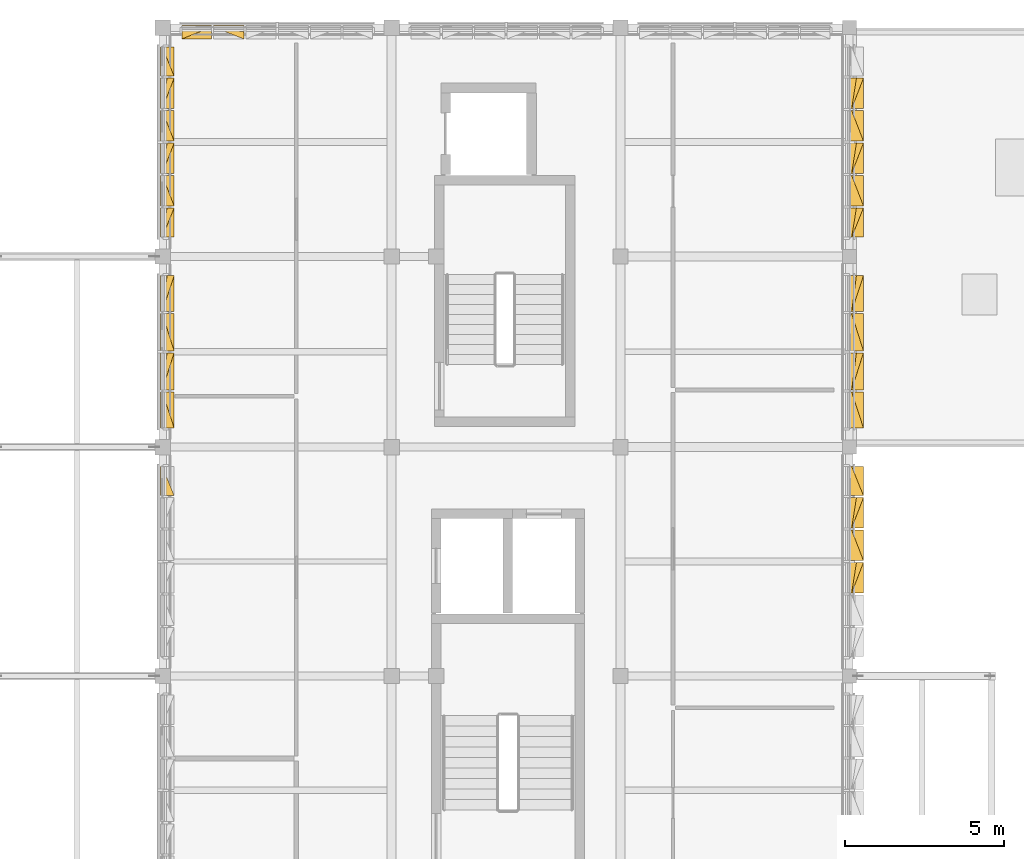
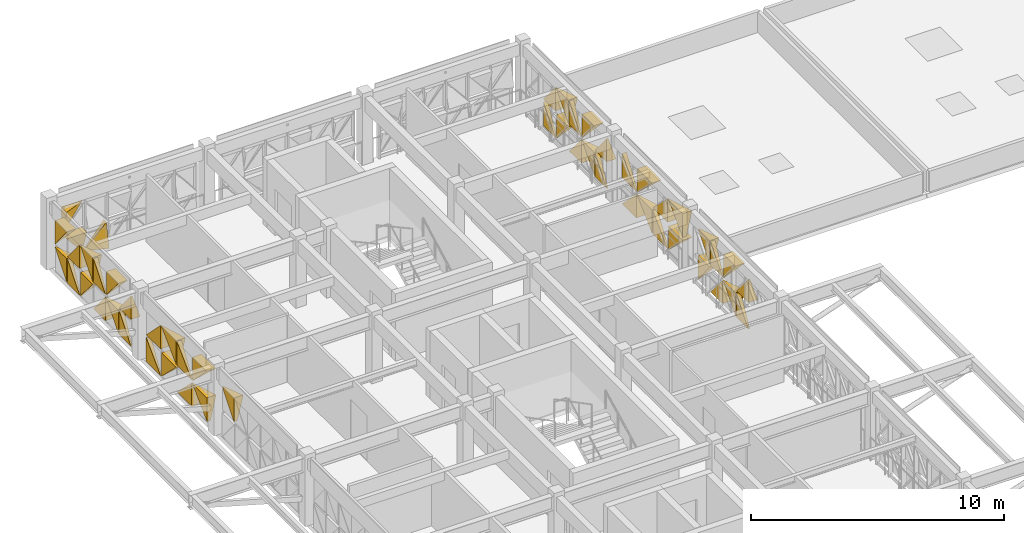
# One storey, part 29 of 30: 50 coverings.
"""IFC4 building model written with IfcOpenShell, lengths in metres."""

from ifc_helpers import new_model, si_unit, direction, frame, origin, place, context, subcontext, project, spatial, polygons, material, layer, layer_set, type_object, element, save


model = new_model("IFC4")

# Units and contexts
model_context = context("Model", 3, precision=1e-05, world=origin(), true_north=direction((0.0, 1.0)))
body_context = subcontext(model_context, "Body", "Model", "MODEL_VIEW")
ifc_project = project(units=[si_unit("LENGTHUNIT", "METRE"), si_unit("AREAUNIT", "SQUARE_METRE"), si_unit("VOLUMEUNIT", "CUBIC_METRE"), si_unit("PLANEANGLEUNIT", "RADIAN"), si_unit("MASSUNIT", "GRAM", prefix="KILO")], contexts=[model_context])

# Site, building, storey
site_placement = place(None, origin())
site = spatial("IfcSite", under=ifc_project, at=site_placement, CompositionType="ELEMENT")
building_placement = place(site_placement, origin())
building = spatial("IfcBuilding", under=site, at=building_placement, Name="Alvorim Cloister Faculty of Sciences", CompositionType="ELEMENT")
storey_placement = place(building_placement, frame((0.0, 0.0, 26.25)))
storey = spatial("IfcBuildingStorey", under=building, at=storey_placement, Name="L07", CompositionType="ELEMENT", Elevation=26.25)

# Coverings
ifc_material = material(Name="Perforated Bronze Alloy Sheet", Category="metal")
ifc_layer = layer(ifc_material, 0.0380859375)
ifc_layer_set = layer_set([ifc_layer], Name="Perforated Bronze Alloy Sheet")
covering_type = type_object("IfcCoveringType", Name="COV-TRI-BRZ", PredefinedType="CLADDING", material=ifc_layer_set)
covering_1_placement = place(storey_placement, frame((7.155029296875, 41.672607421875, 1.419921875), z_axis=(0.0, 0.0, 1.0), x_axis=(0.0, 1.0, 0.0)))
element("IfcCovering", 1, at=covering_1_placement, inside=storey, type_object=covering_type, Name="Diagonal Solid Metal Triangle TRI-TL", PredefinedType="CLADDING", context=body_context, shape_type="Tessellation", body=[
    polygons([(0.920607421875, 0.0260009765625, 1.14013671875), (0.0, 0.0260009765625, 1.14013671875), (0.0, 0.0260009765625, 0.002), (0.920607421875, -0.03, 1.14013671875), (0.0, -0.4, 1.14013671875), (0.0, -0.13999999999999999, 0.002)], [[[1, 3, 2]], [[4, 5, 6]], [[1, 2, 5, 4]], [[2, 3, 6, 5]], [[3, 1, 4, 6]]], closed=True),
])
covering_2_placement = place(storey_placement, frame((7.155029296875, 43.804931640625, 0.139892578125), z_axis=(0.0, 0.0, 1.0), x_axis=(0.0, 1.0, 0.0)))
element("IfcCovering", 2, at=covering_2_placement, inside=storey, type_object=covering_type, Name="Diagonal Solid Metal Triangle TRI-TL", PredefinedType="CLADDING", context=body_context, shape_type="Tessellation", body=[
    polygons([(1.130568359375, 0.0260009765625, 1.14013671875), (0.0, 0.0260009765625, 1.14013671875), (0.0, 0.0260009765625, 0.002), (1.130568359375, -0.03, 1.14013671875), (0.0, -0.4, 1.14013671875), (0.0, -0.13999999999999999, 0.002)], [[[1, 3, 2]], [[4, 5, 6]], [[1, 2, 5, 4]], [[2, 3, 6, 5]], [[3, 1, 4, 6]]], closed=True),
])
covering_3_placement = place(storey_placement, frame((7.155029296875, 43.804931640625, 1.419921875), z_axis=(0.0, 0.0, 1.0), x_axis=(0.0, 1.0, 0.0)))
element("IfcCovering", 3, at=covering_3_placement, inside=storey, type_object=covering_type, Name="Diagonal Solid Metal Triangle TRI-TR", PredefinedType="CLADDING", context=body_context, shape_type="Tessellation", body=[
    polygons([(1.132568359375, 0.0260009765625, 0.002), (1.132568359375, 0.0260009765625, 1.14013671875), (0.002, 0.0260009765625, 1.14013671875), (1.132568359375, -0.03, 0.002), (1.132568359375, -0.4, 1.14013671875), (0.002, -0.4, 1.14013671875)], [[[1, 3, 2]], [[4, 5, 6]], [[1, 2, 5, 4]], [[2, 3, 6, 5]], [[3, 1, 4, 6]]], closed=True),
])
covering_4_placement = place(storey_placement, frame((7.155029296875, 45.00244140625, 0.139892578125), z_axis=(0.0, 0.0, 1.0), x_axis=(0.0, 1.0, 0.0)))
element("IfcCovering", 4, at=covering_4_placement, inside=storey, type_object=covering_type, Name="Diagonal Solid Metal Triangle TRI-BL", PredefinedType="CLADDING", context=body_context, shape_type="Tessellation", body=[
    polygons([(0.0, 0.0260009765625, 0.0), (1.1630390625, 0.0260009765625, 0.0), (0.0, 0.0260009765625, 1.13813671875), (0.0, -0.4, 0.0), (1.1630390625, -0.4, 0.0), (0.0, -0.03, 1.13813671875)], [[[1, 3, 2]], [[4, 5, 6]], [[1, 2, 5, 4]], [[2, 3, 6, 5]], [[3, 1, 4, 6]]], closed=True),
])
covering_5_placement = place(storey_placement, frame((7.155029296875, 45.00244140625, 1.419921875), z_axis=(0.0, 0.0, 1.0), x_axis=(0.0, 1.0, 0.0)))
element("IfcCovering", 5, at=covering_5_placement, inside=storey, type_object=covering_type, Name="Diagonal Solid Metal Triangle TRI-BR", PredefinedType="CLADDING", context=body_context, shape_type="Tessellation", body=[
    polygons([(0.002, 0.0260009765625, 0.0), (1.1650390625, 0.0260009765625, 0.0), (1.1650390625, 0.0260009765625, 1.13813671875), (0.002, -0.03, 0.0), (1.1650390625, -0.4, 0.0), (1.1650390625, -0.18000000000000002, 1.13813671875)], [[[1, 3, 2]], [[4, 5, 6]], [[1, 2, 5, 4]], [[2, 3, 6, 5]], [[3, 1, 4, 6]]], closed=True),
])
covering_6_placement = place(storey_placement, frame((7.155029296875, 46.232421875, 0.139892578125), z_axis=(0.0, 0.0, 1.0), x_axis=(0.0, 1.0, 0.0)))
element("IfcCovering", 6, at=covering_6_placement, inside=storey, type_object=covering_type, Name="Diagonal Solid Metal Triangle TRI-TR", PredefinedType="CLADDING", context=body_context, shape_type="Tessellation", body=[
    polygons([(1.1650390625, 0.0260009765625, 0.002), (1.1650390625, 0.0260009765625, 1.14013671875), (0.002, 0.0260009765625, 1.14013671875), (1.1650390625, -0.03, 0.002), (1.1650390625, -0.4, 1.14013671875), (0.002, -0.4, 1.14013671875)], [[[1, 3, 2]], [[4, 5, 6]], [[1, 2, 5, 4]], [[2, 3, 6, 5]], [[3, 1, 4, 6]]], closed=True),
])
covering_7_placement = place(storey_placement, frame((7.155029296875, 46.232421875, 1.419921875), z_axis=(0.0, 0.0, 1.0), x_axis=(0.0, 1.0, 0.0)))
element("IfcCovering", 7, at=covering_7_placement, inside=storey, type_object=covering_type, Name="Diagonal Solid Metal Triangle TRI-TL", PredefinedType="CLADDING", context=body_context, shape_type="Tessellation", body=[
    polygons([(1.1630390625, 0.0260009765625, 1.14013671875), (0.0, 0.0260009765625, 1.14013671875), (0.0, 0.0260009765625, 0.002), (1.1630390625, -0.03, 1.14013671875), (0.0, -0.4, 1.14013671875), (0.0, -0.13999999999999999, 0.002)], [[[1, 3, 2]], [[4, 5, 6]], [[1, 2, 5, 4]], [[2, 3, 6, 5]], [[3, 1, 4, 6]]], closed=True),
])
covering_8_placement = place(storey_placement, frame((7.155029296875, 47.46240234375, 0.139892578125), z_axis=(0.0, 0.0, 1.0), x_axis=(0.0, 1.0, 0.0)))
element("IfcCovering", 8, at=covering_8_placement, inside=storey, type_object=covering_type, Name="Diagonal Solid Metal Triangle TRI-BR", PredefinedType="CLADDING", context=body_context, shape_type="Tessellation", body=[
    polygons([(0.002, 0.0260009765625, 0.0), (1.132568359375, 0.0260009765625, 0.0), (1.132568359375, 0.0260009765625, 1.13813671875), (0.002, -0.03, 0.0), (1.132568359375, -0.4, 0.0), (1.132568359375, -0.18000000000000002, 1.13813671875)], [[[1, 3, 2]], [[4, 5, 6]], [[1, 2, 5, 4]], [[2, 3, 6, 5]], [[3, 1, 4, 6]]], closed=True),
])
covering_9_placement = place(storey_placement, frame((7.155029296875, 47.46240234375, 1.419921875), z_axis=(0.0, 0.0, 1.0), x_axis=(0.0, 1.0, 0.0)))
element("IfcCovering", 9, at=covering_9_placement, inside=storey, type_object=covering_type, Name="Diagonal Solid Metal Triangle TRI-BL", PredefinedType="CLADDING", context=body_context, shape_type="Tessellation", body=[
    polygons([(0.0, 0.0260009765625, 0.0), (1.130568359375, 0.0260009765625, 0.0), (0.0, 0.0260009765625, 1.13813671875), (0.0, -0.4, 0.0), (1.130568359375, -0.4, 0.0), (0.0, -0.03, 1.13813671875)], [[[1, 3, 2]], [[4, 5, 6]], [[1, 2, 5, 4]], [[2, 3, 6, 5]], [[3, 1, 4, 6]]], closed=True),
])
covering_10_placement = place(storey_placement, frame((7.155029296875, 49.804931640625, 0.139892578125), z_axis=(0.0, 0.0, 1.0), x_axis=(0.0, 1.0, 0.0)))
element("IfcCovering", 10, at=covering_10_placement, inside=storey, type_object=covering_type, Name="Diagonal Solid Metal Triangle TRI-BR", PredefinedType="CLADDING", context=body_context, shape_type="Tessellation", body=[
    polygons([(0.002, 0.0260009765625, 0.0), (0.922607421875, 0.0260009765625, 0.0), (0.922607421875, 0.0260009765625, 1.13813671875), (0.002, -0.03, 0.0), (0.922607421875, -0.4, 0.0), (0.922607421875, -0.18000000000000002, 1.13813671875)], [[[1, 3, 2]], [[4, 5, 6]], [[1, 2, 5, 4]], [[2, 3, 6, 5]], [[3, 1, 4, 6]]], closed=True),
])
covering_11_placement = place(storey_placement, frame((7.155029296875, 49.804931640625, 1.419921875), z_axis=(0.0, 0.0, 1.0), x_axis=(0.0, 1.0, 0.0)))
element("IfcCovering", 11, at=covering_11_placement, inside=storey, type_object=covering_type, Name="Diagonal Solid Metal Triangle TRI-BL", PredefinedType="CLADDING", context=body_context, shape_type="Tessellation", body=[
    polygons([(0.0, 0.0260009765625, 0.0), (0.920607421875, 0.0260009765625, 0.0), (0.0, 0.0260009765625, 1.13813671875), (0.0, -0.4, 0.0), (0.920607421875, -0.4, 0.0), (0.0, -0.03, 1.13813671875)], [[[1, 3, 2]], [[4, 5, 6]], [[1, 2, 5, 4]], [[2, 3, 6, 5]], [[3, 1, 4, 6]]], closed=True),
])
covering_12_placement = place(storey_placement, frame((7.155029296875, 50.79248046875, 0.139892578125), z_axis=(0.0, 0.0, 1.0), x_axis=(0.0, 1.0, 0.0)))
element("IfcCovering", 12, at=covering_12_placement, inside=storey, type_object=covering_type, Name="Diagonal Solid Metal Triangle TRI-TL", PredefinedType="CLADDING", context=body_context, shape_type="Tessellation", body=[
    polygons([(0.953078125, 0.0260009765625, 1.14013671875), (0.0, 0.0260009765625, 1.14013671875), (0.0, 0.0260009765625, 0.002), (0.953078125, -0.03, 1.14013671875), (0.0, -0.4, 1.14013671875), (0.0, -0.13999999999999999, 0.002)], [[[1, 3, 2]], [[4, 5, 6]], [[1, 2, 5, 4]], [[2, 3, 6, 5]], [[3, 1, 4, 6]]], closed=True),
])
covering_13_placement = place(storey_placement, frame((7.155029296875, 50.79248046875, 1.419921875), z_axis=(0.0, 0.0, 1.0), x_axis=(0.0, 1.0, 0.0)))
element("IfcCovering", 13, at=covering_13_placement, inside=storey, type_object=covering_type, Name="Diagonal Solid Metal Triangle TRI-TR", PredefinedType="CLADDING", context=body_context, shape_type="Tessellation", body=[
    polygons([(0.955078125, 0.0260009765625, 0.002), (0.955078125, 0.0260009765625, 1.14013671875), (0.002, 0.0260009765625, 1.14013671875), (0.955078125, -0.03, 0.002), (0.955078125, -0.4, 1.14013671875), (0.002, -0.4, 1.14013671875)], [[[1, 3, 2]], [[4, 5, 6]], [[1, 2, 5, 4]], [[2, 3, 6, 5]], [[3, 1, 4, 6]]], closed=True),
])
covering_14_placement = place(storey_placement, frame((7.155029296875, 51.8125, 0.139892578125), z_axis=(0.0, 0.0, 1.0), x_axis=(0.0, 1.0, 0.0)))
element("IfcCovering", 14, at=covering_14_placement, inside=storey, type_object=covering_type, Name="Diagonal Solid Metal Triangle TRI-BL", PredefinedType="CLADDING", context=body_context, shape_type="Tessellation", body=[
    polygons([(0.0, 0.0260009765625, 0.0), (0.953078125, 0.0260009765625, 0.0), (0.0, 0.0260009765625, 1.13813671875), (0.0, -0.4, 0.0), (0.953078125, -0.4, 0.0), (0.0, -0.03, 1.13813671875)], [[[1, 3, 2]], [[4, 5, 6]], [[1, 2, 5, 4]], [[2, 3, 6, 5]], [[3, 1, 4, 6]]], closed=True),
])
covering_15_placement = place(storey_placement, frame((7.155029296875, 51.8125, 1.419921875), z_axis=(0.0, 0.0, 1.0), x_axis=(0.0, 1.0, 0.0)))
element("IfcCovering", 15, at=covering_15_placement, inside=storey, type_object=covering_type, Name="Diagonal Solid Metal Triangle TRI-BR", PredefinedType="CLADDING", context=body_context, shape_type="Tessellation", body=[
    polygons([(0.002, 0.0260009765625, 0.0), (0.955078125, 0.0260009765625, 0.0), (0.955078125, 0.0260009765625, 1.13813671875), (0.002, -0.03, 0.0), (0.955078125, -0.4, 0.0), (0.955078125, -0.18000000000000002, 1.13813671875)], [[[1, 3, 2]], [[4, 5, 6]], [[1, 2, 5, 4]], [[2, 3, 6, 5]], [[3, 1, 4, 6]]], closed=True),
])
covering_16_placement = place(storey_placement, frame((7.155029296875, 52.83251953125, 0.139892578125), z_axis=(0.0, 0.0, 1.0), x_axis=(0.0, 1.0, 0.0)))
element("IfcCovering", 16, at=covering_16_placement, inside=storey, type_object=covering_type, Name="Diagonal Solid Metal Triangle TRI-TR", PredefinedType="CLADDING", context=body_context, shape_type="Tessellation", body=[
    polygons([(0.955078125, 0.0260009765625, 0.002), (0.955078125, 0.0260009765625, 1.14013671875), (0.002, 0.0260009765625, 1.14013671875), (0.955078125, -0.03, 0.002), (0.955078125, -0.4, 1.14013671875), (0.002, -0.4, 1.14013671875)], [[[1, 3, 2]], [[4, 5, 6]], [[1, 2, 5, 4]], [[2, 3, 6, 5]], [[3, 1, 4, 6]]], closed=True),
])
covering_17_placement = place(storey_placement, frame((7.155029296875, 52.83251953125, 1.419921875), z_axis=(0.0, 0.0, 1.0), x_axis=(0.0, 1.0, 0.0)))
element("IfcCovering", 17, at=covering_17_placement, inside=storey, type_object=covering_type, Name="Diagonal Solid Metal Triangle TRI-TL", PredefinedType="CLADDING", context=body_context, shape_type="Tessellation", body=[
    polygons([(0.953078125, 0.0260009765625, 1.14013671875), (0.0, 0.0260009765625, 1.14013671875), (0.0, 0.0260009765625, 0.002), (0.953078125, -0.03, 1.14013671875), (0.0, -0.4, 1.14013671875), (0.0, -0.13999999999999999, 0.002)], [[[1, 3, 2]], [[4, 5, 6]], [[1, 2, 5, 4]], [[2, 3, 6, 5]], [[3, 1, 4, 6]]], closed=True),
])
covering_18_placement = place(storey_placement, frame((7.155029296875, 53.8525390625, 0.139892578125), z_axis=(0.0, 0.0, 1.0), x_axis=(0.0, 1.0, 0.0)))
element("IfcCovering", 18, at=covering_18_placement, inside=storey, type_object=covering_type, Name="Diagonal Solid Metal Triangle TRI-BR", PredefinedType="CLADDING", context=body_context, shape_type="Tessellation", body=[
    polygons([(0.002, 0.0260009765625, 0.0), (0.955078125, 0.0260009765625, 0.0), (0.955078125, 0.0260009765625, 1.13813671875), (0.002, -0.03, 0.0), (0.955078125, -0.4, 0.0), (0.955078125, -0.18000000000000002, 1.13813671875)], [[[1, 3, 2]], [[4, 5, 6]], [[1, 2, 5, 4]], [[2, 3, 6, 5]], [[3, 1, 4, 6]]], closed=True),
])
covering_19_placement = place(storey_placement, frame((7.155029296875, 53.8525390625, 1.419921875), z_axis=(0.0, 0.0, 1.0), x_axis=(0.0, 1.0, 0.0)))
element("IfcCovering", 19, at=covering_19_placement, inside=storey, type_object=covering_type, Name="Diagonal Solid Metal Triangle TRI-BL", PredefinedType="CLADDING", context=body_context, shape_type="Tessellation", body=[
    polygons([(0.0, 0.0260009765625, 0.0), (0.953078125, 0.0260009765625, 0.0), (0.0, 0.0260009765625, 1.13813671875), (0.0, -0.4, 0.0), (0.953078125, -0.4, 0.0), (0.0, -0.03, 1.13813671875)], [[[1, 3, 2]], [[4, 5, 6]], [[1, 2, 5, 4]], [[2, 3, 6, 5]], [[3, 1, 4, 6]]], closed=True),
])
covering_20_placement = place(storey_placement, frame((7.155029296875, 54.87255859375, 0.139892578125), z_axis=(0.0, 0.0, 1.0), x_axis=(0.0, 1.0, 0.0)))
element("IfcCovering", 20, at=covering_20_placement, inside=storey, type_object=covering_type, Name="Diagonal Solid Metal Triangle TRI-TL", PredefinedType="CLADDING", context=body_context, shape_type="Tessellation", body=[
    polygons([(0.920607421875, 0.0260009765625, 1.14013671875), (0.0, 0.0260009765625, 1.14013671875), (0.0, 0.0260009765625, 0.002), (0.920607421875, -0.03, 1.14013671875), (0.0, -0.4, 1.14013671875), (0.0, -0.13999999999999999, 0.002)], [[[1, 3, 2]], [[4, 5, 6]], [[1, 2, 5, 4]], [[2, 3, 6, 5]], [[3, 1, 4, 6]]], closed=True),
])
for number, where, z_axis, x_axis, name in (
    (21, (7.155029296875, 54.87255859375, 1.419921875), (0.0, 0.0, 1.0), (0.0, 1.0, 0.0), "Diagonal Solid Metal Triangle TRI-TR"),
    (22, (7.804931640625, 56.445068359375, 0.139892578125), (0.0, 0.0, 1.0), (1.0, 0.0, 0.0), "Diagonal Solid Metal Triangle TRI-TR"),
):
    element("IfcCovering", number, at=place(storey_placement, frame(where, z_axis=z_axis, x_axis=x_axis)), inside=storey, type_object=covering_type, Name=name, PredefinedType="CLADDING", context=body_context, shape_type="Tessellation", body=[
        polygons([(0.922607421875, 0.0260009765625, 0.002), (0.922607421875, 0.0260009765625, 1.14013671875), (0.002, 0.0260009765625, 1.14013671875), (0.922607421875, -0.03, 0.002), (0.922607421875, -0.4, 1.14013671875), (0.002, -0.4, 1.14013671875)], [[[1, 3, 2]], [[4, 5, 6]], [[1, 2, 5, 4]], [[2, 3, 6, 5]], [[3, 1, 4, 6]]], closed=True),
    ])
covering_21_placement = place(storey_placement, frame((7.804931640625, 56.445068359375, 1.419921875), z_axis=(0.0, 0.0, 1.0), x_axis=(1.0, 0.0, 0.0)))
element("IfcCovering", 23, at=covering_21_placement, inside=storey, type_object=covering_type, Name="Diagonal Solid Metal Triangle TRI-TL", PredefinedType="CLADDING", context=body_context, shape_type="Tessellation", body=[
    polygons([(0.920607421875, 0.0260009765625, 1.14013671875), (0.0, 0.0260009765625, 1.14013671875), (0.0, 0.0260009765625, 0.002), (0.920607421875, -0.03, 1.14013671875), (0.0, -0.4, 1.14013671875), (0.0, -0.13999999999999999, 0.002)], [[[1, 3, 2]], [[4, 5, 6]], [[1, 2, 5, 4]], [[2, 3, 6, 5]], [[3, 1, 4, 6]]], closed=True),
])
covering_22_placement = place(storey_placement, frame((8.79248046875, 56.445068359375, 0.139892578125), z_axis=(0.0, 0.0, 1.0), x_axis=(1.0, 0.0, 0.0)))
element("IfcCovering", 24, at=covering_22_placement, inside=storey, type_object=covering_type, Name="Diagonal Solid Metal Triangle TRI-BR", PredefinedType="CLADDING", context=body_context, shape_type="Tessellation", body=[
    polygons([(0.002, 0.0260009765625, 0.0), (0.955078125, 0.0260009765625, 0.0), (0.955078125, 0.0260009765625, 1.13813671875), (0.002, -0.03, 0.0), (0.955078125, -0.4, 0.0), (0.955078125, -0.18000000000000002, 1.13813671875)], [[[1, 3, 2]], [[4, 5, 6]], [[1, 2, 5, 4]], [[2, 3, 6, 5]], [[3, 1, 4, 6]]], closed=True),
])
covering_23_placement = place(storey_placement, frame((28.844970703125, 49.804931640625, 0.139892578125), z_axis=(0.0, 0.0, 1.0), x_axis=(0.0, 1.0, 0.0)))
element("IfcCovering", 25, at=covering_23_placement, inside=storey, type_object=covering_type, Name="Diagonal Solid Metal Triangle TRI-BR", PredefinedType="CLADDING", context=body_context, shape_type="Tessellation", body=[
    polygons([(0.002, 0.0260009765625, 0.0), (0.922607421875, 0.0260009765625, 0.0), (0.922607421875, 0.0260009765625, 1.13813671875), (0.002, -0.03, 0.0), (0.922607421875, -0.4, 0.0), (0.922607421875, -0.18000000000000002, 1.13813671875)], [[[1, 3, 2]], [[4, 5, 6]], [[1, 2, 5, 4]], [[2, 3, 6, 5]], [[3, 1, 4, 6]]], closed=True),
])
covering_24_placement = place(storey_placement, frame((28.844970703125, 49.804931640625, 1.419921875), z_axis=(0.0, 0.0, 1.0), x_axis=(0.0, 1.0, 0.0)))
element("IfcCovering", 26, at=covering_24_placement, inside=storey, type_object=covering_type, Name="Diagonal Solid Metal Triangle TRI-BL", PredefinedType="CLADDING", context=body_context, shape_type="Tessellation", body=[
    polygons([(0.0, 0.0260009765625, 0.0), (0.920607421875, 0.0260009765625, 0.0), (0.0, 0.0260009765625, 1.13813671875), (0.0, -0.4, 0.0), (0.920607421875, -0.4, 0.0), (0.0, -0.03, 1.13813671875)], [[[1, 3, 2]], [[4, 5, 6]], [[1, 2, 5, 4]], [[2, 3, 6, 5]], [[3, 1, 4, 6]]], closed=True),
])
covering_25_placement = place(storey_placement, frame((28.844970703125, 50.79248046875, 0.139892578125), z_axis=(0.0, 0.0, 1.0), x_axis=(0.0, 1.0, 0.0)))
element("IfcCovering", 27, at=covering_25_placement, inside=storey, type_object=covering_type, Name="Diagonal Solid Metal Triangle TRI-TL", PredefinedType="CLADDING", context=body_context, shape_type="Tessellation", body=[
    polygons([(0.953078125, 0.0260009765625, 1.14013671875), (0.0, 0.0260009765625, 1.14013671875), (0.0, 0.0260009765625, 0.002), (0.953078125, -0.03, 1.14013671875), (0.0, -0.4, 1.14013671875), (0.0, -0.13999999999999999, 0.002)], [[[1, 3, 2]], [[4, 5, 6]], [[1, 2, 5, 4]], [[2, 3, 6, 5]], [[3, 1, 4, 6]]], closed=True),
])
covering_26_placement = place(storey_placement, frame((28.844970703125, 50.79248046875, 1.419921875), z_axis=(0.0, 0.0, 1.0), x_axis=(0.0, 1.0, 0.0)))
element("IfcCovering", 28, at=covering_26_placement, inside=storey, type_object=covering_type, Name="Diagonal Solid Metal Triangle TRI-TR", PredefinedType="CLADDING", context=body_context, shape_type="Tessellation", body=[
    polygons([(0.955078125, 0.0260009765625, 0.002), (0.955078125, 0.0260009765625, 1.14013671875), (0.002, 0.0260009765625, 1.14013671875), (0.955078125, -0.03, 0.002), (0.955078125, -0.4, 1.14013671875), (0.002, -0.4, 1.14013671875)], [[[1, 3, 2]], [[4, 5, 6]], [[1, 2, 5, 4]], [[2, 3, 6, 5]], [[3, 1, 4, 6]]], closed=True),
])
covering_27_placement = place(storey_placement, frame((28.844970703125, 51.8125, 0.139892578125), z_axis=(0.0, 0.0, 1.0), x_axis=(0.0, 1.0, 0.0)))
element("IfcCovering", 29, at=covering_27_placement, inside=storey, type_object=covering_type, Name="Diagonal Solid Metal Triangle TRI-BL", PredefinedType="CLADDING", context=body_context, shape_type="Tessellation", body=[
    polygons([(0.0, 0.0260009765625, 0.0), (0.953078125, 0.0260009765625, 0.0), (0.0, 0.0260009765625, 1.13813671875), (0.0, -0.4, 0.0), (0.953078125, -0.4, 0.0), (0.0, -0.03, 1.13813671875)], [[[1, 3, 2]], [[4, 5, 6]], [[1, 2, 5, 4]], [[2, 3, 6, 5]], [[3, 1, 4, 6]]], closed=True),
])
covering_28_placement = place(storey_placement, frame((28.844970703125, 51.8125, 1.419921875), z_axis=(0.0, 0.0, 1.0), x_axis=(0.0, 1.0, 0.0)))
element("IfcCovering", 30, at=covering_28_placement, inside=storey, type_object=covering_type, Name="Diagonal Solid Metal Triangle TRI-BR", PredefinedType="CLADDING", context=body_context, shape_type="Tessellation", body=[
    polygons([(0.002, 0.0260009765625, 0.0), (0.955078125, 0.0260009765625, 0.0), (0.955078125, 0.0260009765625, 1.13813671875), (0.002, -0.03, 0.0), (0.955078125, -0.4, 0.0), (0.955078125, -0.18000000000000002, 1.13813671875)], [[[1, 3, 2]], [[4, 5, 6]], [[1, 2, 5, 4]], [[2, 3, 6, 5]], [[3, 1, 4, 6]]], closed=True),
])
covering_29_placement = place(storey_placement, frame((28.844970703125, 52.83251953125, 0.139892578125), z_axis=(0.0, 0.0, 1.0), x_axis=(0.0, 1.0, 0.0)))
element("IfcCovering", 31, at=covering_29_placement, inside=storey, type_object=covering_type, Name="Diagonal Solid Metal Triangle TRI-TR", PredefinedType="CLADDING", context=body_context, shape_type="Tessellation", body=[
    polygons([(0.955078125, 0.0260009765625, 0.002), (0.955078125, 0.0260009765625, 1.14013671875), (0.002, 0.0260009765625, 1.14013671875), (0.955078125, -0.03, 0.002), (0.955078125, -0.4, 1.14013671875), (0.002, -0.4, 1.14013671875)], [[[1, 3, 2]], [[4, 5, 6]], [[1, 2, 5, 4]], [[2, 3, 6, 5]], [[3, 1, 4, 6]]], closed=True),
])
covering_30_placement = place(storey_placement, frame((28.844970703125, 52.83251953125, 1.419921875), z_axis=(0.0, 0.0, 1.0), x_axis=(0.0, 1.0, 0.0)))
element("IfcCovering", 32, at=covering_30_placement, inside=storey, type_object=covering_type, Name="Diagonal Solid Metal Triangle TRI-TL", PredefinedType="CLADDING", context=body_context, shape_type="Tessellation", body=[
    polygons([(0.953078125, 0.0260009765625, 1.14013671875), (0.0, 0.0260009765625, 1.14013671875), (0.0, 0.0260009765625, 0.002), (0.953078125, -0.03, 1.14013671875), (0.0, -0.4, 1.14013671875), (0.0, -0.13999999999999999, 0.002)], [[[1, 3, 2]], [[4, 5, 6]], [[1, 2, 5, 4]], [[2, 3, 6, 5]], [[3, 1, 4, 6]]], closed=True),
])
covering_31_placement = place(storey_placement, frame((28.844970703125, 53.8525390625, 0.139892578125), z_axis=(0.0, 0.0, 1.0), x_axis=(0.0, 1.0, 0.0)))
element("IfcCovering", 33, at=covering_31_placement, inside=storey, type_object=covering_type, Name="Diagonal Solid Metal Triangle TRI-BR", PredefinedType="CLADDING", context=body_context, shape_type="Tessellation", body=[
    polygons([(0.002, 0.0260009765625, 0.0), (0.955078125, 0.0260009765625, 0.0), (0.955078125, 0.0260009765625, 1.13813671875), (0.002, -0.03, 0.0), (0.955078125, -0.4, 0.0), (0.955078125, -0.18000000000000002, 1.13813671875)], [[[1, 3, 2]], [[4, 5, 6]], [[1, 2, 5, 4]], [[2, 3, 6, 5]], [[3, 1, 4, 6]]], closed=True),
])
covering_32_placement = place(storey_placement, frame((28.844970703125, 53.8525390625, 1.419921875), z_axis=(0.0, 0.0, 1.0), x_axis=(0.0, 1.0, 0.0)))
element("IfcCovering", 34, at=covering_32_placement, inside=storey, type_object=covering_type, Name="Diagonal Solid Metal Triangle TRI-BL", PredefinedType="CLADDING", context=body_context, shape_type="Tessellation", body=[
    polygons([(0.0, 0.0260009765625, 0.0), (0.953078125, 0.0260009765625, 0.0), (0.0, 0.0260009765625, 1.13813671875), (0.0, -0.4, 0.0), (0.953078125, -0.4, 0.0), (0.0, -0.03, 1.13813671875)], [[[1, 3, 2]], [[4, 5, 6]], [[1, 2, 5, 4]], [[2, 3, 6, 5]], [[3, 1, 4, 6]]], closed=True),
])
covering_33_placement = place(storey_placement, frame((28.844970703125, 43.804931640625, 0.139892578125), z_axis=(0.0, 0.0, 1.0), x_axis=(0.0, 1.0, 0.0)))
element("IfcCovering", 35, at=covering_33_placement, inside=storey, type_object=covering_type, Name="Diagonal Solid Metal Triangle TRI-TR", PredefinedType="CLADDING", context=body_context, shape_type="Tessellation", body=[
    polygons([(1.132568359375, 0.0260009765625, 0.002), (1.132568359375, 0.0260009765625, 1.14013671875), (0.002, 0.0260009765625, 1.14013671875), (1.132568359375, -0.03, 0.002), (1.132568359375, -0.4, 1.14013671875), (0.002, -0.4, 1.14013671875)], [[[1, 3, 2]], [[4, 5, 6]], [[1, 2, 5, 4]], [[2, 3, 6, 5]], [[3, 1, 4, 6]]], closed=True),
])
covering_34_placement = place(storey_placement, frame((28.844970703125, 43.804931640625, 1.419921875), z_axis=(0.0, 0.0, 1.0), x_axis=(0.0, 1.0, 0.0)))
element("IfcCovering", 36, at=covering_34_placement, inside=storey, type_object=covering_type, Name="Diagonal Solid Metal Triangle TRI-TL", PredefinedType="CLADDING", context=body_context, shape_type="Tessellation", body=[
    polygons([(1.130568359375, 0.0260009765625, 1.14013671875), (0.0, 0.0260009765625, 1.14013671875), (0.0, 0.0260009765625, 0.002), (1.130568359375, -0.03, 1.14013671875), (0.0, -0.4, 1.14013671875), (0.0, -0.13999999999999999, 0.002)], [[[1, 3, 2]], [[4, 5, 6]], [[1, 2, 5, 4]], [[2, 3, 6, 5]], [[3, 1, 4, 6]]], closed=True),
])
covering_35_placement = place(storey_placement, frame((28.844970703125, 45.00244140625, 0.139892578125), z_axis=(0.0, 0.0, 1.0), x_axis=(0.0, 1.0, 0.0)))
element("IfcCovering", 37, at=covering_35_placement, inside=storey, type_object=covering_type, Name="Diagonal Solid Metal Triangle TRI-BR", PredefinedType="CLADDING", context=body_context, shape_type="Tessellation", body=[
    polygons([(0.002, 0.0260009765625, 0.0), (1.1650390625, 0.0260009765625, 0.0), (1.1650390625, 0.0260009765625, 1.13813671875), (0.002, -0.03, 0.0), (1.1650390625, -0.4, 0.0), (1.1650390625, -0.18000000000000002, 1.13813671875)], [[[1, 3, 2]], [[4, 5, 6]], [[1, 2, 5, 4]], [[2, 3, 6, 5]], [[3, 1, 4, 6]]], closed=True),
])
covering_36_placement = place(storey_placement, frame((28.844970703125, 45.00244140625, 1.419921875), z_axis=(0.0, 0.0, 1.0), x_axis=(0.0, 1.0, 0.0)))
element("IfcCovering", 38, at=covering_36_placement, inside=storey, type_object=covering_type, Name="Diagonal Solid Metal Triangle TRI-BL", PredefinedType="CLADDING", context=body_context, shape_type="Tessellation", body=[
    polygons([(0.0, 0.0260009765625, 0.0), (1.1630390625, 0.0260009765625, 0.0), (0.0, 0.0260009765625, 1.13813671875), (0.0, -0.4, 0.0), (1.1630390625, -0.4, 0.0), (0.0, -0.03, 1.13813671875)], [[[1, 3, 2]], [[4, 5, 6]], [[1, 2, 5, 4]], [[2, 3, 6, 5]], [[3, 1, 4, 6]]], closed=True),
])
covering_37_placement = place(storey_placement, frame((28.844970703125, 46.232421875, 0.139892578125), z_axis=(0.0, 0.0, 1.0), x_axis=(0.0, 1.0, 0.0)))
element("IfcCovering", 39, at=covering_37_placement, inside=storey, type_object=covering_type, Name="Diagonal Solid Metal Triangle TRI-TL", PredefinedType="CLADDING", context=body_context, shape_type="Tessellation", body=[
    polygons([(1.1630390625, 0.0260009765625, 1.14013671875), (0.0, 0.0260009765625, 1.14013671875), (0.0, 0.0260009765625, 0.002), (1.1630390625, -0.03, 1.14013671875), (0.0, -0.4, 1.14013671875), (0.0, -0.13999999999999999, 0.002)], [[[1, 3, 2]], [[4, 5, 6]], [[1, 2, 5, 4]], [[2, 3, 6, 5]], [[3, 1, 4, 6]]], closed=True),
])
covering_38_placement = place(storey_placement, frame((28.844970703125, 46.232421875, 1.419921875), z_axis=(0.0, 0.0, 1.0), x_axis=(0.0, 1.0, 0.0)))
element("IfcCovering", 40, at=covering_38_placement, inside=storey, type_object=covering_type, Name="Diagonal Solid Metal Triangle TRI-TR", PredefinedType="CLADDING", context=body_context, shape_type="Tessellation", body=[
    polygons([(1.1650390625, 0.0260009765625, 0.002), (1.1650390625, 0.0260009765625, 1.14013671875), (0.002, 0.0260009765625, 1.14013671875), (1.1650390625, -0.03, 0.002), (1.1650390625, -0.4, 1.14013671875), (0.002, -0.4, 1.14013671875)], [[[1, 3, 2]], [[4, 5, 6]], [[1, 2, 5, 4]], [[2, 3, 6, 5]], [[3, 1, 4, 6]]], closed=True),
])
covering_39_placement = place(storey_placement, frame((28.844970703125, 47.46240234375, 0.139892578125), z_axis=(0.0, 0.0, 1.0), x_axis=(0.0, 1.0, 0.0)))
element("IfcCovering", 41, at=covering_39_placement, inside=storey, type_object=covering_type, Name="Diagonal Solid Metal Triangle TRI-BL", PredefinedType="CLADDING", context=body_context, shape_type="Tessellation", body=[
    polygons([(0.0, 0.0260009765625, 0.0), (1.130568359375, 0.0260009765625, 0.0), (0.0, 0.0260009765625, 1.13813671875), (0.0, -0.4, 0.0), (1.130568359375, -0.4, 0.0), (0.0, -0.03, 1.13813671875)], [[[1, 3, 2]], [[4, 5, 6]], [[1, 2, 5, 4]], [[2, 3, 6, 5]], [[3, 1, 4, 6]]], closed=True),
])
covering_40_placement = place(storey_placement, frame((28.844970703125, 47.46240234375, 1.419921875), z_axis=(0.0, 0.0, 1.0), x_axis=(0.0, 1.0, 0.0)))
element("IfcCovering", 42, at=covering_40_placement, inside=storey, type_object=covering_type, Name="Diagonal Solid Metal Triangle TRI-BR", PredefinedType="CLADDING", context=body_context, shape_type="Tessellation", body=[
    polygons([(0.002, 0.0260009765625, 0.0), (1.132568359375, 0.0260009765625, 0.0), (1.132568359375, 0.0260009765625, 1.13813671875), (0.002, -0.03, 0.0), (1.132568359375, -0.4, 0.0), (1.132568359375, -0.18000000000000002, 1.13813671875)], [[[1, 3, 2]], [[4, 5, 6]], [[1, 2, 5, 4]], [[2, 3, 6, 5]], [[3, 1, 4, 6]]], closed=True),
])
covering_41_placement = place(storey_placement, frame((28.844970703125, 38.612548828125, 0.139892578125), z_axis=(0.0, 0.0, 1.0), x_axis=(0.0, 1.0, 0.0)))
element("IfcCovering", 43, at=covering_41_placement, inside=storey, type_object=covering_type, Name="Diagonal Solid Metal Triangle TRI-BR", PredefinedType="CLADDING", context=body_context, shape_type="Tessellation", body=[
    polygons([(0.002, 0.0260009765625, 0.0), (0.955078125, 0.0260009765625, 0.0), (0.955078125, 0.0260009765625, 1.13813671875), (0.002, -0.03, 0.0), (0.955078125, -0.4, 0.0), (0.955078125, -0.18000000000000002, 1.13813671875)], [[[1, 3, 2]], [[4, 5, 6]], [[1, 2, 5, 4]], [[2, 3, 6, 5]], [[3, 1, 4, 6]]], closed=True),
])
covering_42_placement = place(storey_placement, frame((28.844970703125, 38.612548828125, 1.419921875), z_axis=(0.0, 0.0, 1.0), x_axis=(0.0, 1.0, 0.0)))
element("IfcCovering", 44, at=covering_42_placement, inside=storey, type_object=covering_type, Name="Diagonal Solid Metal Triangle TRI-BL", PredefinedType="CLADDING", context=body_context, shape_type="Tessellation", body=[
    polygons([(0.0, 0.0260009765625, 0.0), (0.953078125, 0.0260009765625, 0.0), (0.0, 0.0260009765625, 1.13813671875), (0.0, -0.4, 0.0), (0.953078125, -0.4, 0.0), (0.0, -0.03, 1.13813671875)], [[[1, 3, 2]], [[4, 5, 6]], [[1, 2, 5, 4]], [[2, 3, 6, 5]], [[3, 1, 4, 6]]], closed=True),
])
covering_43_placement = place(storey_placement, frame((28.844970703125, 39.632568359375, 0.139892578125), z_axis=(0.0, 0.0, 1.0), x_axis=(0.0, 1.0, 0.0)))
element("IfcCovering", 45, at=covering_43_placement, inside=storey, type_object=covering_type, Name="Diagonal Solid Metal Triangle TRI-TL", PredefinedType="CLADDING", context=body_context, shape_type="Tessellation", body=[
    polygons([(0.953078125, 0.0260009765625, 1.14013671875), (0.0, 0.0260009765625, 1.14013671875), (0.0, 0.0260009765625, 0.002), (0.953078125, -0.03, 1.14013671875), (0.0, -0.4, 1.14013671875), (0.0, -0.13999999999999999, 0.002)], [[[1, 3, 2]], [[4, 5, 6]], [[1, 2, 5, 4]], [[2, 3, 6, 5]], [[3, 1, 4, 6]]], closed=True),
])
covering_44_placement = place(storey_placement, frame((28.844970703125, 39.632568359375, 1.419921875), z_axis=(0.0, 0.0, 1.0), x_axis=(0.0, 1.0, 0.0)))
element("IfcCovering", 46, at=covering_44_placement, inside=storey, type_object=covering_type, Name="Diagonal Solid Metal Triangle TRI-TR", PredefinedType="CLADDING", context=body_context, shape_type="Tessellation", body=[
    polygons([(0.955078125, 0.0260009765625, 0.002), (0.955078125, 0.0260009765625, 1.14013671875), (0.002, 0.0260009765625, 1.14013671875), (0.955078125, -0.03, 0.002), (0.955078125, -0.4, 1.14013671875), (0.002, -0.4, 1.14013671875)], [[[1, 3, 2]], [[4, 5, 6]], [[1, 2, 5, 4]], [[2, 3, 6, 5]], [[3, 1, 4, 6]]], closed=True),
])
covering_45_placement = place(storey_placement, frame((28.844970703125, 40.652587890625, 0.139892578125), z_axis=(0.0, 0.0, 1.0), x_axis=(0.0, 1.0, 0.0)))
element("IfcCovering", 47, at=covering_45_placement, inside=storey, type_object=covering_type, Name="Diagonal Solid Metal Triangle TRI-BL", PredefinedType="CLADDING", context=body_context, shape_type="Tessellation", body=[
    polygons([(0.0, 0.0260009765625, 0.0), (0.953078125, 0.0260009765625, 0.0), (0.0, 0.0260009765625, 1.13813671875), (0.0, -0.4, 0.0), (0.953078125, -0.4, 0.0), (0.0, -0.03, 1.13813671875)], [[[1, 3, 2]], [[4, 5, 6]], [[1, 2, 5, 4]], [[2, 3, 6, 5]], [[3, 1, 4, 6]]], closed=True),
])
covering_46_placement = place(storey_placement, frame((28.844970703125, 40.652587890625, 1.419921875), z_axis=(0.0, 0.0, 1.0), x_axis=(0.0, 1.0, 0.0)))
element("IfcCovering", 48, at=covering_46_placement, inside=storey, type_object=covering_type, Name="Diagonal Solid Metal Triangle TRI-BR", PredefinedType="CLADDING", context=body_context, shape_type="Tessellation", body=[
    polygons([(0.002, 0.0260009765625, 0.0), (0.955078125, 0.0260009765625, 0.0), (0.955078125, 0.0260009765625, 1.13813671875), (0.002, -0.03, 0.0), (0.955078125, -0.4, 0.0), (0.955078125, -0.18000000000000002, 1.13813671875)], [[[1, 3, 2]], [[4, 5, 6]], [[1, 2, 5, 4]], [[2, 3, 6, 5]], [[3, 1, 4, 6]]], closed=True),
])
covering_47_placement = place(storey_placement, frame((28.844970703125, 41.672607421875, 0.139892578125), z_axis=(0.0, 0.0, 1.0), x_axis=(0.0, 1.0, 0.0)))
element("IfcCovering", 49, at=covering_47_placement, inside=storey, type_object=covering_type, Name="Diagonal Solid Metal Triangle TRI-TR", PredefinedType="CLADDING", context=body_context, shape_type="Tessellation", body=[
    polygons([(0.922607421875, 0.0260009765625, 0.002), (0.922607421875, 0.0260009765625, 1.14013671875), (0.002, 0.0260009765625, 1.14013671875), (0.922607421875, -0.03, 0.002), (0.922607421875, -0.4, 1.14013671875), (0.002, -0.4, 1.14013671875)], [[[1, 3, 2]], [[4, 5, 6]], [[1, 2, 5, 4]], [[2, 3, 6, 5]], [[3, 1, 4, 6]]], closed=True),
])
covering_48_placement = place(storey_placement, frame((28.844970703125, 41.672607421875, 1.419921875), z_axis=(0.0, 0.0, 1.0), x_axis=(0.0, 1.0, 0.0)))
element("IfcCovering", 50, at=covering_48_placement, inside=storey, type_object=covering_type, Name="Diagonal Solid Metal Triangle TRI-TL", PredefinedType="CLADDING", context=body_context, shape_type="Tessellation", body=[
    polygons([(0.920607421875, 0.0260009765625, 1.14013671875), (0.0, 0.0260009765625, 1.14013671875), (0.0, 0.0260009765625, 0.002), (0.920607421875, -0.03, 1.14013671875), (0.0, -0.4, 1.14013671875), (0.0, -0.13999999999999999, 0.002)], [[[1, 3, 2]], [[4, 5, 6]], [[1, 2, 5, 4]], [[2, 3, 6, 5]], [[3, 1, 4, 6]]], closed=True),
])

save(model, "model.ifc")
